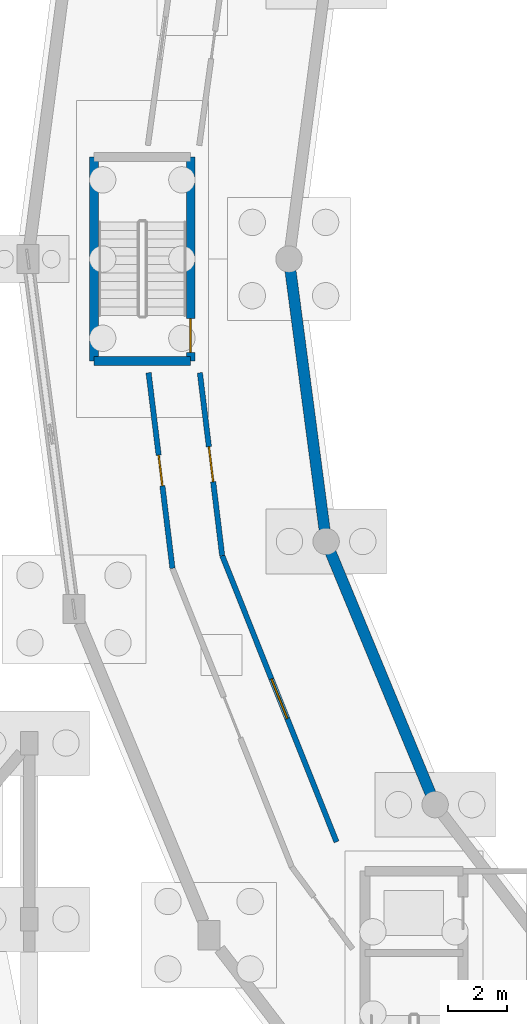
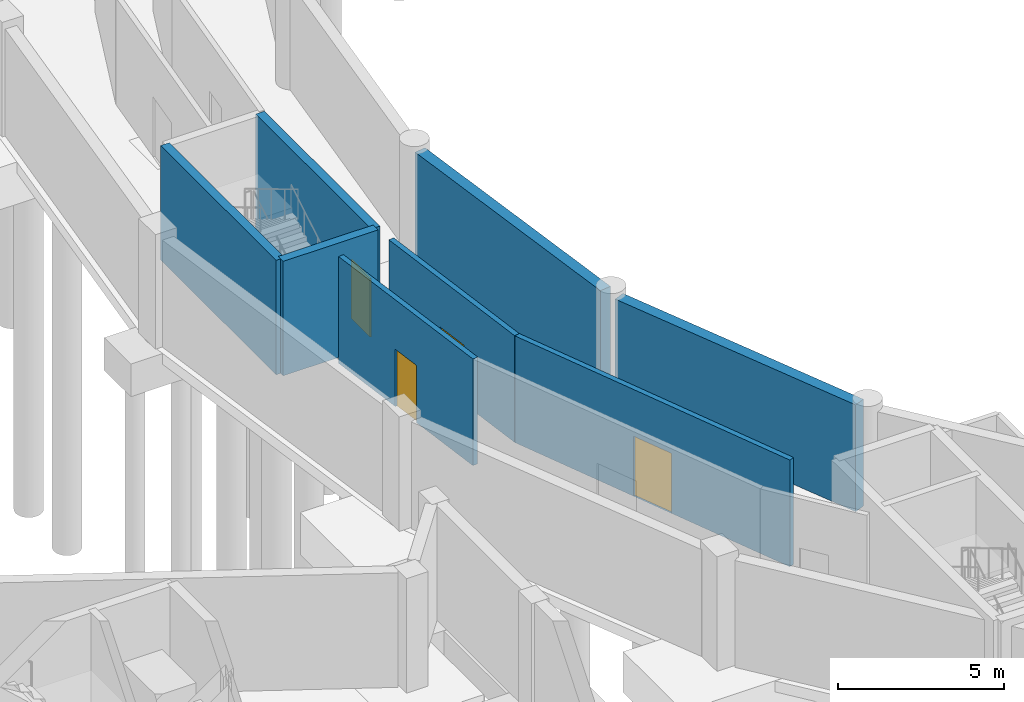
# One storey, part 31 of 43: 8 walls, 4 doors, 4 openings.
"""IFC4 building model written with IfcOpenShell, lengths in metres."""

from ifc_helpers import new_model, si_unit, direction, frame, frame_2d, origin, place, context, subcontext, project, spatial, rectangle, extrude, material, layer, layer_set, type_object, element, fill, save


model = new_model("IFC4")

# Units and contexts
model_context = context("Model", 3, precision=1e-05, world=origin(), true_north=direction((0.0, 1.0)))
body_context = subcontext(model_context, "Body", "Model", "MODEL_VIEW")
ifc_project = project(units=[si_unit("LENGTHUNIT", "METRE"), si_unit("AREAUNIT", "SQUARE_METRE"), si_unit("VOLUMEUNIT", "CUBIC_METRE"), si_unit("PLANEANGLEUNIT", "RADIAN"), si_unit("MASSUNIT", "GRAM", prefix="KILO")], contexts=[model_context])

# Site, building, storey
site_placement = place(None, origin())
site = spatial("IfcSite", under=ifc_project, at=site_placement, CompositionType="ELEMENT")
building_placement = place(site_placement, origin())
building = spatial("IfcBuilding", under=site, at=building_placement, Name="Vespera Passage Community Centre", CompositionType="ELEMENT")
storey_placement = place(building_placement, frame((0.0, 0.0, -4.199951171875)))
storey = spatial("IfcBuildingStorey", under=building, at=storey_placement, Name="B1", CompositionType="ELEMENT", Elevation=-4.199951171875)

# Wall, opening, door
ifc_material_1 = material(Name="Concrete f'c 45 MPa", Category="concrete")
ifc_layer_1 = layer(ifc_material_1, 0.300048828125)
ifc_layer_set_1 = layer_set([ifc_layer_1], Name="Concrete f'c 45 MPa")
wall_type_1 = type_object("IfcWallType", Name="WT-CORE-300I", PredefinedType="SHEAR", material=ifc_layer_set_1)
wall_1_placement = place(storey_placement, frame((37.449951171875, 68.97509765625, 0.0), z_axis=(0.0, 0.0, 1.0), x_axis=(0.0, -1.0, 0.0)))
wall_1 = element("IfcWall", 1, at=wall_1_placement, inside=storey, type_object=wall_type_1, Name="Core C2 B1 Shear Wall FRONT", PredefinedType="SHEAR", context=body_context, shape_type="SweptSolid", body=[
    extrude(rectangle(XDim=6.9501953125, YDim=0.300048828125, at=frame_2d((3.47509765625, 0.0))), origin(), (0.0, 0.0, 1.0), 4.199951171875),
])
opening_1_placement = place(wall_1_placement, frame((5.5048828125, 0.0, 0.0)))
opening_1 = element("IfcOpeningElement", 2, at=opening_1_placement, cuts=wall_1, Name="Opening DT-STAIR-90", PredefinedType="OPENING", context=body_context, shape_type="SweptSolid", body=[
    extrude(rectangle(XDim=1.14990234375, YDim=2.14990234375, at=frame_2d((0.574951171875, 1.074951171875))), frame((0.0, 0.159912109375, 0.0), z_axis=(0.0, -1.0, 0.0), x_axis=(1.0, 0.0, 0.0)), (0.0, 0.0, 1.0), 0.320068359375),
])
ifc_material_2 = material(Name="Painted hollow-metal acoustic door", Category="steel")
door_type_1 = type_object("IfcDoorType", Name="DT-STAIR-90", OperationType="NOTDEFINED", PredefinedType="DOOR", material=ifc_material_2)
door_1_placement = place(opening_1_placement, origin())
door_1 = element("IfcDoor", 3, at=door_1_placement, inside=storey, type_object=door_type_1, Name="Core C2 B1 Exit Stair Door D-064", OperationType="SINGLE_SWING_RIGHT", OverallHeight=2.14990234375, OverallWidth=1.14990234375, PredefinedType="DOOR", context=body_context, shape_type="SweptSolid", body=[
    extrude(rectangle(XDim=1.14990234375, YDim=2.14990234375, at=frame_2d((0.574951171875, 1.074951171875))), frame((0.0, 0.02490234375, 0.0), z_axis=(0.0, -1.0, 0.0), x_axis=(1.0, 0.0, 0.0)), (0.0, 0.0, 1.0), 0.050048828125),
])
fill(opening_1, door_1)

# Walls
wall_2_placement = place(storey_placement, frame((37.449951171875, 62.02490234375, 0.0), z_axis=(0.0, 0.0, 1.0), x_axis=(-1.0, 0.0, 0.0)))
element("IfcWall", 4, at=wall_2_placement, inside=storey, type_object=wall_type_1, Name="Core C2 B1 Shear Wall LEFT", PredefinedType="SHEAR", context=body_context, shape_type="SweptSolid", body=[
    extrude(rectangle(XDim=3.300048828125, YDim=0.300048828125, at=frame_2d((1.64990234375, 0.0))), origin(), (0.0, 0.0, 1.0), 4.199951171875),
])
wall_3_placement = place(storey_placement, frame((34.14990234375, 62.02490234375, 0.0), z_axis=(0.0, 0.0, 1.0), x_axis=(0.0, 1.0, 0.0)))
element("IfcWall", 5, at=wall_3_placement, inside=storey, type_object=wall_type_1, Name="Core C2 B1 Shear Wall BACK", PredefinedType="SHEAR", context=body_context, shape_type="SweptSolid", body=[
    extrude(rectangle(XDim=6.9501953125, YDim=0.300048828125, at=frame_2d((3.47509765625, 0.0))), origin(), (0.0, 0.0, 1.0), 4.199951171875),
])

# Wall, opening, door
ifc_material_3 = material(Name="Gypsum board acoustic stud partition")
ifc_layer_2 = layer(ifc_material_3, 0.179931640625)
ifc_layer_set_2 = layer_set([ifc_layer_2], Name="Gypsum board acoustic stud partition")
wall_type_2 = type_object("IfcWallType", Name="WT-CORR-180I", PredefinedType="PARTITIONING", material=ifc_layer_set_2)
wall_4_placement = place(storey_placement, frame((36.01513671875, 61.625, 0.0), z_axis=(0.0, 0.0, 1.0), x_axis=(0.121095426368, -0.992640870463, 0.0)))
wall_4 = element("IfcWall", 6, at=wall_4_placement, inside=storey, type_object=wall_type_2, Name="B1 Interior Partition V4-B1-CO09.1", PredefinedType="PARTITIONING", context=body_context, shape_type="SweptSolid", body=[
    extrude(rectangle(XDim=6.717529296875, YDim=0.179931640625, at=frame_2d((3.35888671875, 0.0))), origin(), (0.0, 0.0, 1.0), 3.9150390625),
])
opening_2_placement = place(wall_4_placement, frame((2.833740234375, 0.0, 0.0)))
opening_2 = element("IfcOpeningElement", 7, at=opening_2_placement, cuts=wall_4, Name="Opening DT-CORR-105", PredefinedType="OPENING", context=body_context, shape_type="SweptSolid", body=[
    extrude(rectangle(XDim=1.050048828125, YDim=2.10009765625, at=frame_2d((0.52490234375, 1.050048828125))), frame((0.0, 0.099853515625, 0.0), z_axis=(0.0, -1.0, 0.0), x_axis=(1.0, 0.0, 0.0)), (0.0, 0.0, 1.0), 0.199951171875),
])
ifc_material_4 = material(Name="Painted hollow-metal acoustic door", Category="steel")
door_type_2 = type_object("IfcDoorType", Name="DT-CORR-105", OperationType="NOTDEFINED", PredefinedType="DOOR", material=ifc_material_4)
door_2_placement = place(opening_2_placement, origin())
door_2 = element("IfcDoor", 8, at=door_2_placement, inside=storey, type_object=door_type_2, Name="B1 Interior Door D-135", OperationType="SINGLE_SWING_LEFT", OverallHeight=2.10009765625, OverallWidth=1.050048828125, PredefinedType="DOOR", context=body_context, shape_type="SweptSolid", body=[
    extrude(rectangle(XDim=1.050048828125, YDim=2.10009765625, at=frame_2d((0.52490234375, 1.050048828125))), frame((0.0, 0.02490234375, 0.0), z_axis=(0.0, -1.0, 0.0), x_axis=(1.0, 0.0, 0.0)), (0.0, 0.0, 1.0), 0.050048828125),
])
fill(opening_2, door_2)

wall_5_placement = place(storey_placement, frame((37.763427734375, 61.625, 0.0), z_axis=(0.0, 0.0, 1.0), x_axis=(0.12105344106, -0.992645991483, 0.0)))
wall_5 = element("IfcWall", 9, at=wall_5_placement, inside=storey, type_object=wall_type_2, Name="B1 Interior Partition V4-B1-CI09.1", PredefinedType="PARTITIONING", context=body_context, shape_type="SweptSolid", body=[
    extrude(rectangle(XDim=6.2802734375, YDim=0.179931640625, at=frame_2d((3.14013671875, 0.0))), origin(), (0.0, 0.0, 1.0), 3.9150390625),
])
opening_3_placement = place(wall_5_placement, frame((2.540283203125, 0.0, 0.0)))
opening_3 = element("IfcOpeningElement", 10, at=opening_3_placement, cuts=wall_5, Name="Opening DT-CORR-120", PredefinedType="OPENING", context=body_context, shape_type="SweptSolid", body=[
    extrude(rectangle(XDim=1.199951171875, YDim=2.14990234375, at=frame_2d((0.60009765625, 1.074951171875))), frame((0.0, 0.099853515625, 0.0), z_axis=(0.0, -1.0, 0.0), x_axis=(1.0, 0.0, 0.0)), (0.0, 0.0, 1.0), 0.199951171875),
])
ifc_material_5 = material(Name="Painted hollow-metal acoustic door", Category="steel")
door_type_3 = type_object("IfcDoorType", Name="DT-CORR-120", OperationType="NOTDEFINED", PredefinedType="DOOR", material=ifc_material_5)
door_3_placement = place(opening_3_placement, origin())
door_3 = element("IfcDoor", 11, at=door_3_placement, inside=storey, type_object=door_type_3, Name="B1 Interior Door D-136", OperationType="SINGLE_SWING_RIGHT", OverallHeight=2.14990234375, OverallWidth=1.199951171875, PredefinedType="DOOR", context=body_context, shape_type="SweptSolid", body=[
    extrude(rectangle(XDim=1.199951171875, YDim=2.14990234375, at=frame_2d((0.60009765625, 1.074951171875))), frame((0.0, 0.02490234375, 0.0), z_axis=(0.0, -1.0, 0.0), x_axis=(1.0, 0.0, 0.0)), (0.0, 0.0, 1.0), 0.050048828125),
])
fill(opening_3, door_3)

wall_6_placement = place(storey_placement, frame((38.523681640625, 55.390869140625, 0.0), z_axis=(0.0, 0.0, 1.0), x_axis=(0.370942047159, -0.92865601686, 0.0)))
wall_6 = element("IfcWall", 12, at=wall_6_placement, inside=storey, type_object=wall_type_2, Name="B1 Interior Partition V4-B1-CI10.1", PredefinedType="PARTITIONING", context=body_context, shape_type="SweptSolid", body=[
    extrude(rectangle(XDim=10.509521484375, YDim=0.179931640625, at=frame_2d((5.2548828125, 0.0))), origin(), (0.0, 0.0, 1.0), 3.9150390625),
])
opening_4_placement = place(wall_6_placement, frame((4.52978515625, 0.0, 0.0)))
opening_4 = element("IfcOpeningElement", 13, at=opening_4_placement, cuts=wall_6, Name="Opening DT-PLANT-145", PredefinedType="OPENING", context=body_context, shape_type="SweptSolid", body=[
    extrude(rectangle(XDim=1.449951171875, YDim=2.199951171875, at=frame_2d((0.72509765625, 1.10009765625))), frame((0.0, 0.099853515625, 0.0), z_axis=(0.0, -1.0, 0.0), x_axis=(1.0, 0.0, 0.0)), (0.0, 0.0, 1.0), 0.199951171875),
])
ifc_material_6 = material(Name="Painted hollow-metal acoustic door", Category="steel")
door_type_4 = type_object("IfcDoorType", Name="DT-PLANT-145", OperationType="NOTDEFINED", PredefinedType="DOOR", material=ifc_material_6)
door_4_placement = place(opening_4_placement, origin())
door_4 = element("IfcDoor", 14, at=door_4_placement, inside=storey, type_object=door_type_4, Name="B1 Interior Door D-138", OperationType="SINGLE_SWING_RIGHT", OverallHeight=2.199951171875, OverallWidth=1.449951171875, PredefinedType="DOOR", context=body_context, shape_type="SweptSolid", body=[
    extrude(rectangle(XDim=1.449951171875, YDim=2.199951171875, at=frame_2d((0.72509765625, 1.10009765625))), frame((0.0, 0.02490234375, 0.0), z_axis=(0.0, -1.0, 0.0), x_axis=(1.0, 0.0, 0.0)), (0.0, 0.0, 1.0), 0.050048828125),
])
fill(opening_4, door_4)

# Walls
ifc_material_7 = material(Name="Concrete f'c 45 MPa", Category="concrete")
ifc_layer_3 = layer(ifc_material_7, 0.3798828125)
ifc_layer_set_3 = layer_set([ifc_layer_3], Name="Concrete f'c 45 MPa")
wall_type_3 = type_object("IfcWallType", Name="WT-RET-380E", PredefinedType="SHEAR", material=ifc_layer_set_3)
wall_7_placement = place(storey_placement, frame((40.836181640625, 65.224853515625, 0.0), z_axis=(0.0, 0.0, 1.0), x_axis=(0.130549698469, -0.991441766434, 0.0)))
element("IfcWall", 15, at=wall_7_placement, inside=storey, type_object=wall_type_3, Name="V4 B1 Inner Retaining Wall 12", PredefinedType="SHEAR", context=body_context, shape_type="SweptSolid", body=[
    extrude(rectangle(XDim=9.156005859375, YDim=0.3798828125, at=frame_2d((4.578125, 0.0))), origin(), (0.0, 0.0, 1.0), 3.919921875),
])
wall_8_placement = place(storey_placement, frame((42.182373046875, 55.594970703125, 0.0), z_axis=(0.0, 0.0, 1.0), x_axis=(0.382681519675, -0.923880324771, 0.0)))
element("IfcWall", 16, at=wall_8_placement, inside=storey, type_object=wall_type_3, Name="V4 B1 Inner Retaining Wall 13", PredefinedType="SHEAR", context=body_context, shape_type="SweptSolid", body=[
    extrude(rectangle(XDim=9.111572265625, YDim=0.3798828125, at=frame_2d((4.5556640625, 0.0))), origin(), (0.0, 0.0, 1.0), 3.919921875),
])

save(model, "model.ifc")
